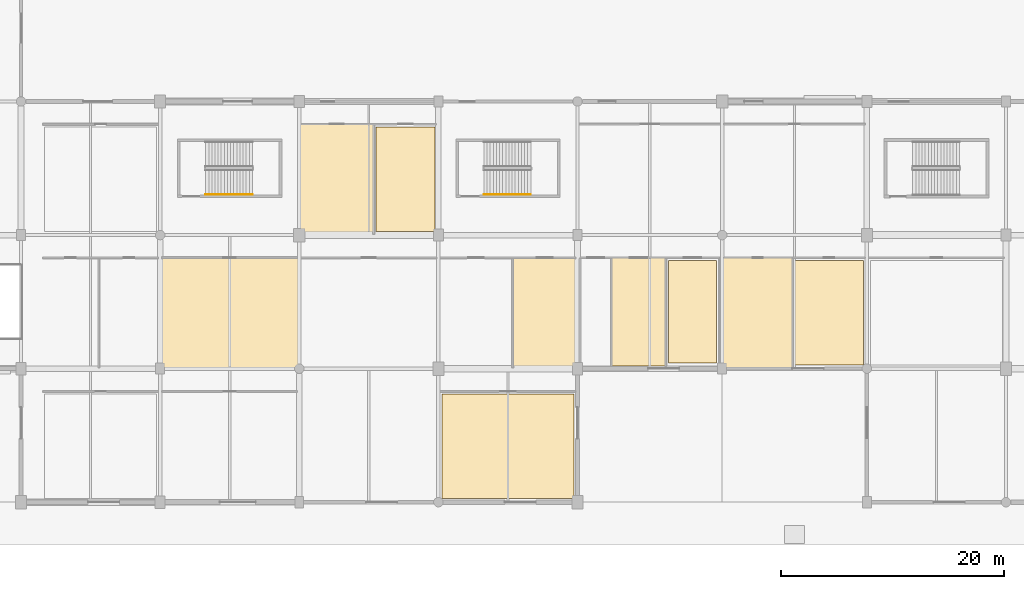
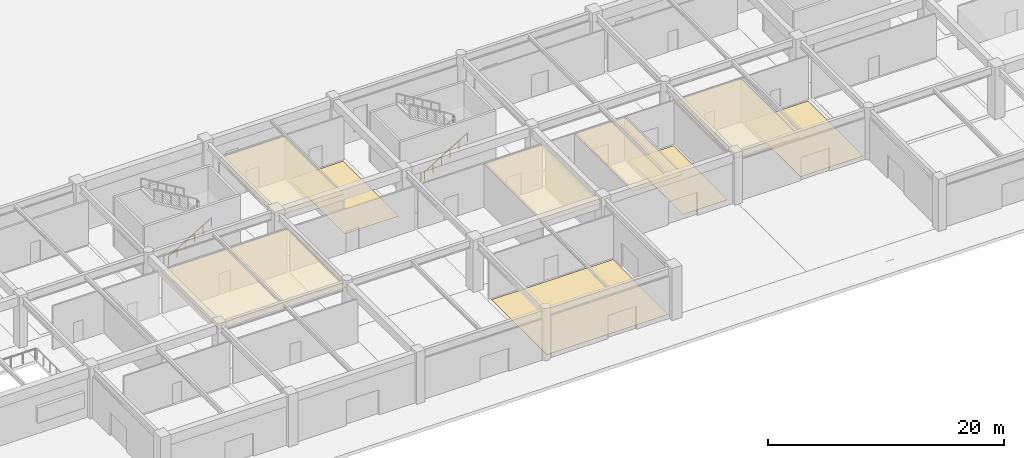
# One storey, part 43 of 69: 9 coverings, 2 railings.
"""IFC4 building model written with IfcOpenShell, lengths in metres."""

from ifc_helpers import new_model, si_unit, direction, frame, origin, origin_2d, place, context, subcontext, project, spatial, polyline, circle, outline, extrude, material, layer, layer_set, type_object, element, save


model = new_model("IFC4")

# Units and contexts
model_context = context("Model", 3, precision=1e-05, world=origin(), true_north=direction((0.0, 1.0)))
body_context = subcontext(model_context, "Body", "Model", "MODEL_VIEW")
ifc_project = project(units=[si_unit("LENGTHUNIT", "METRE"), si_unit("AREAUNIT", "SQUARE_METRE"), si_unit("VOLUMEUNIT", "CUBIC_METRE"), si_unit("PLANEANGLEUNIT", "RADIAN"), si_unit("MASSUNIT", "GRAM", prefix="KILO")], contexts=[model_context])

# Site, building, storey
site_placement = place(None, origin())
site = spatial("IfcSite", under=ifc_project, at=site_placement, CompositionType="ELEMENT")
building_placement = place(site_placement, origin())
building = spatial("IfcBuilding", under=site, at=building_placement, Name="Kazenohara Klinker Stadium", CompositionType="ELEMENT")
storey_placement = place(building_placement, origin())
storey = spatial("IfcBuildingStorey", under=building, at=storey_placement, Name="L00", CompositionType="ELEMENT", Elevation=0.0)

# Coverings
ifc_material_1 = material(Name="Perforated acoustic mineral-fibre ceiling tile", Category="gypsum")
ifc_layer_1 = layer(ifc_material_1, 0.030029296875)
ifc_layer_set_1 = layer_set([ifc_layer_1], Name="Perforated acoustic mineral-fibre ceiling tile")
covering_type_1 = type_object("IfcCoveringType", Name="COV-CEIL-01", PredefinedType="CEILING", material=ifc_layer_set_1)
covering_1_placement = place(storey_placement, frame((0.0, 0.0, 4.35009765625)))
element("IfcCovering", 1, at=covering_1_placement, inside=storey, type_object=covering_type_1, Name="Suspended acoustic ceiling CL01 Street-Front Bakery and Cafe Restaurant L00-0701B", PredefinedType="CEILING", context=body_context, shape_type="SweptSolid", body=[
    extrude(outline(polyline([(93.13623046875, 12.06005859375), (98.9599609375, 12.06005859375), (98.9599609375, 21.989990234375), (93.13623046875, 21.989990234375), (93.13623046875, 12.06005859375)])), origin(), (0.0, 0.0, 1.0), 0.02978515625),
])
ifc_material_2 = material(Name="Slatted Hokkaido cedar acoustic baffle ceiling", Category="wood")
ifc_layer_2 = layer(ifc_material_2, 0.0400390625)
ifc_layer_set_2 = layer_set([ifc_layer_2], Name="Slatted Hokkaido cedar acoustic baffle ceiling")
covering_type_2 = type_object("IfcCoveringType", Name="COV-CEIL-02", PredefinedType="CEILING", material=ifc_layer_set_2)
covering_2_placement = place(storey_placement, frame((0.0, 0.0, 4.340087890625)))
element("IfcCovering", 2, at=covering_2_placement, inside=storey, type_object=covering_type_2, Name="Suspended acoustic ceiling CL02 Civic Stadium Heritage Museum Exhibition Gallery L00-0501A", PredefinedType="CEILING", context=body_context, shape_type="SweptSolid", body=[
    extrude(outline(polyline([(61.5400390625, 12.06005859375), (73.9599609375, 12.06005859375), (73.9599609375, 21.989990234375), (61.5400390625, 21.989990234375), (61.5400390625, 12.06005859375)])), origin(), (0.0, 0.0, 1.0), 0.039794921875),
])
covering_3_placement = place(storey_placement, frame((0.0, 0.0, 4.340087890625)))
element("IfcCovering", 3, at=covering_3_placement, inside=storey, type_object=covering_type_2, Name="Suspended acoustic ceiling CL02 Spectator First-Aid Medical Clinic L00-0602A", PredefinedType="CEILING", context=body_context, shape_type="SweptSolid", body=[
    extrude(outline(polyline([(74.0400390625, 24.06005859375), (80.71630859375, 24.06005859375), (80.71630859375, 33.989990234375), (74.0400390625, 33.989990234375), (74.0400390625, 24.06005859375)])), origin(), (0.0, 0.0, 1.0), 0.039794921875),
])
covering_4_placement = place(storey_placement, frame((0.0, 0.0, 4.340087890625)))
element("IfcCovering", 4, at=covering_4_placement, inside=storey, type_object=covering_type_2, Name="Suspended acoustic ceiling CL02 Water Closet Restroom Male L00-0801B", PredefinedType="CEILING", context=body_context, shape_type="SweptSolid", body=[
    extrude(outline(polyline([(102.010498046875, 12.219970703125), (106.97509765625, 12.219970703125), (106.97509765625, 21.97998046875), (102.010498046875, 21.97998046875), (102.010498046875, 12.219970703125)])), origin(), (0.0, 0.0, 1.0), 0.039794921875),
])
covering_5_placement = place(storey_placement, frame((0.0, 0.0, 4.340087890625)))
element("IfcCovering", 5, at=covering_5_placement, inside=storey, type_object=covering_type_2, Name="Suspended acoustic ceiling CL02 Civic Stadium Heritage Museum Exhibition Gallery L00-0901A", PredefinedType="CEILING", context=body_context, shape_type="SweptSolid", body=[
    extrude(outline(polyline([(112.0400390625, 12.06005859375), (118.349853515625, 12.06005859375), (118.349853515625, 21.989990234375), (112.0400390625, 21.989990234375), (112.0400390625, 12.06005859375)])), origin(), (0.0, 0.0, 1.0), 0.039794921875),
])
ifc_material_3 = material(Name="Slip-resistant honed basalt terrazzo flooring", Category="masonry")
ifc_layer_3 = layer(ifc_material_3, 0.02001953125)
ifc_layer_set_3 = layer_set([ifc_layer_3], Name="Slip-resistant honed basalt terrazzo flooring")
covering_type_3 = type_object("IfcCoveringType", Name="COV-FLR-01", PredefinedType="FLOORING", material=ifc_layer_set_3)
covering_6_placement = place(storey_placement, origin())
element("IfcCovering", 6, at=covering_6_placement, inside=storey, type_object=covering_type_3, Name="Interior floor finish FL01 Spectator First-Aid Medical Clinic L00-0700A", PredefinedType="FLOORING", context=body_context, shape_type="SweptSolid", body=[
    extrude(outline(polyline([(86.81005859375, 0.330078125), (98.68994140625, 0.330078125), (98.68994140625, 9.719970703125), (86.81005859375, 9.719970703125), (86.81005859375, 0.330078125)])), origin(), (0.0, 0.0, 1.0), 0.02001953125),
])
covering_7_placement = place(storey_placement, origin())
element("IfcCovering", 7, at=covering_7_placement, inside=storey, type_object=covering_type_3, Name="Interior floor finish FL01 Water Closet Restroom Female L00-0801C", PredefinedType="FLOORING", context=body_context, shape_type="SweptSolid", body=[
    extrude(outline(polyline([(107.165283203125, 12.489990234375), (111.510009765625, 12.489990234375), (111.510009765625, 21.7099609375), (107.165283203125, 21.7099609375), (107.165283203125, 12.489990234375)])), origin(), (0.0, 0.0, 1.0), 0.02001953125),
])
covering_8_placement = place(storey_placement, origin())
element("IfcCovering", 8, at=covering_8_placement, inside=storey, type_object=covering_type_3, Name="Interior floor finish FL01 Street-Front Bakery and Cafe Restaurant L00-0901B", PredefinedType="FLOORING", context=body_context, shape_type="SweptSolid", body=[
    extrude(outline(polyline([(118.539794921875, 12.330078125), (124.68994140625, 12.330078125), (124.68994140625, 21.719970703125), (118.539794921875, 21.719970703125), (118.539794921875, 12.330078125)])), origin(), (0.0, 0.0, 1.0), 0.02001953125),
])
ifc_material_4 = material(Name="Cushioned EPDM sports rubber flooring", Category="rubber")
ifc_layer_4 = layer(ifc_material_4, 0.014892578125)
ifc_layer_set_4 = layer_set([ifc_layer_4], Name="Cushioned EPDM sports rubber flooring")
covering_type_4 = type_object("IfcCoveringType", Name="COV-FLR-02", PredefinedType="FLOORING", material=ifc_layer_set_4)
covering_9_placement = place(storey_placement, origin())
element("IfcCovering", 9, at=covering_9_placement, inside=storey, type_object=covering_type_4, Name="Interior floor finish FL02 Winter-Garden Retail Galleria Boutique L00-0602B", PredefinedType="FLOORING", context=body_context, shape_type="SweptSolid", body=[
    extrude(outline(polyline([(80.90625, 24.330078125), (86.18994140625, 24.330078125), (86.18994140625, 33.719970703125), (80.90625, 33.719970703125), (80.90625, 24.330078125)])), origin(), (0.0, 0.0, 1.0), 0.014892578125),
])

# Railings
ifc_material_5 = material(Name="Brushed stainless steel 304 handrail", Category="steel")
ifc_layer_5 = layer(ifc_material_5, 0.050048828125)
ifc_layer_set_5 = layer_set([ifc_layer_5], Name="Brushed stainless steel 304 handrail")
railing_type = type_object("IfcRailingType", Name="RL-HND-900", PredefinedType="HANDRAIL", material=ifc_layer_set_5)
for number, where, name in (
    (10, (65.590087890625, 27.64990234375, 0.168701171875), "L00 ST25 stair handrail 1"),
    (11, (90.60009765625, 27.639892578125, 0.168701171875), "L00 ST26 stair handrail 1"),
):
    element("IfcRailing", number, at=place(storey_placement, frame(where)), inside=storey, type_object=railing_type, Name=name, PredefinedType="HANDRAIL", context=body_context, shape_type="SweptSolid", body=[
        extrude(circle(Radius=0.02392578125, at=origin_2d()), frame((0.0, 0.0, 0.8759765625), z_axis=(0.856476492594, 0.0, 0.516186030065), x_axis=(0.0, 1.0, 0.0)), (0.0, 0.0, 1.0), 4.90380859375),
        extrude(circle(Radius=0.02099609375, at=origin_2d()), origin(), (0.0, 0.0, 1.0), 0.851806640625),
        extrude(circle(Radius=0.02099609375, at=origin_2d()), frame((0.840087890625, 0.0, 0.50634765625)), (0.0, 0.0, 1.0), 0.851806640625),
        extrude(circle(Radius=0.02099609375, at=origin_2d()), frame((1.679931640625, 0.0, 1.012451171875)), (0.0, 0.0, 1.0), 0.851806640625),
        extrude(circle(Radius=0.02099609375, at=origin_2d()), frame((2.52001953125, 0.0, 1.518798828125)), (0.0, 0.0, 1.0), 0.851806640625),
        extrude(circle(Radius=0.02099609375, at=origin_2d()), frame((3.35986328125, 0.0, 2.02490234375)), (0.0, 0.0, 1.0), 0.851806640625),
        extrude(circle(Radius=0.02099609375, at=origin_2d()), frame((4.199951171875, 0.0, 2.53125)), (0.0, 0.0, 1.0), 0.851806640625),
    ])

save(model, "model.ifc")
